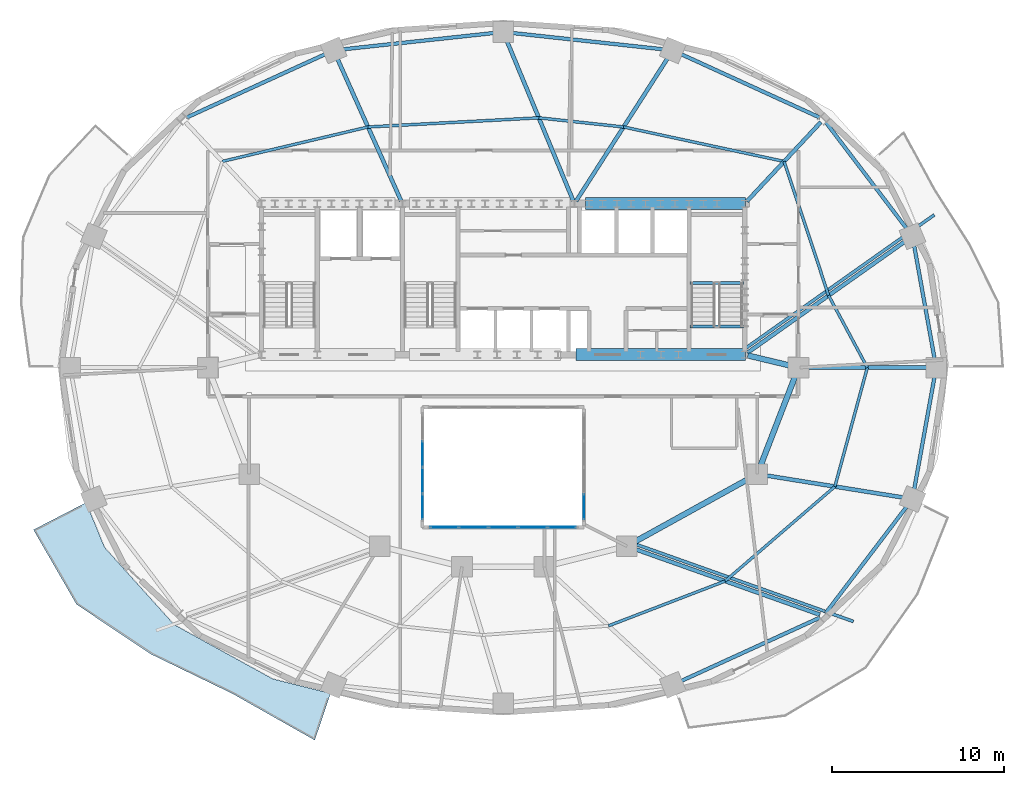
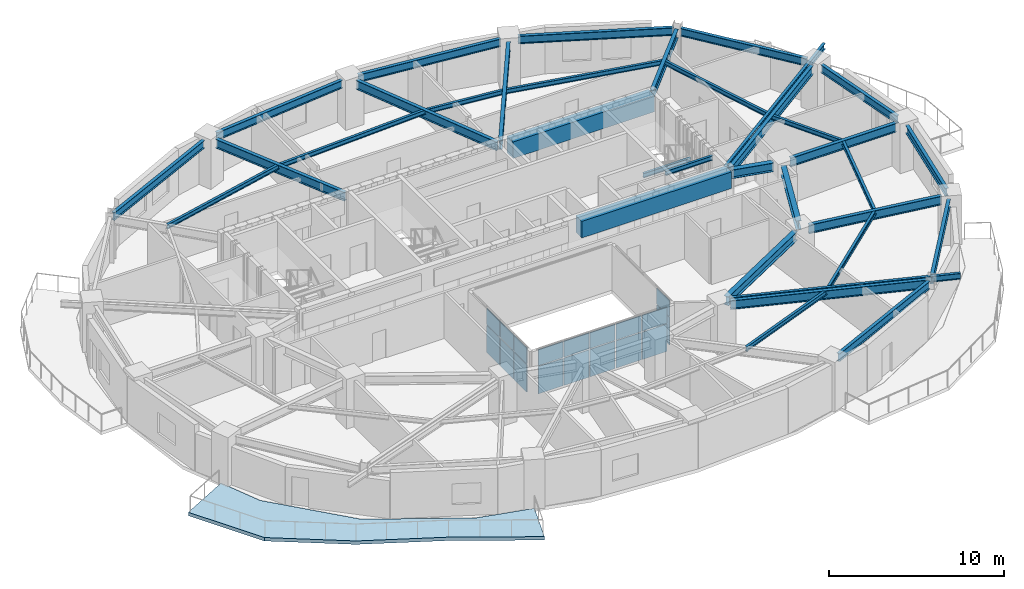
# One storey, part 4 of 11: 35 beams, 18 plates, 1 slab, 3 elements without a shape of their own.
"""IFC4 building model written with IfcOpenShell, lengths in metres."""

from ifc_helpers import new_model, si_unit, direction, frame, origin, origin_2d, place, context, subcontext, project, spatial, polyline, rectangle, i_section, outline, extrude, material, layer, layer_set, material_profile, profile_set, type_object, element, aggregate, save


model = new_model("IFC4")

# Units and contexts
model_context = context("Model", 3, precision=1e-05, world=origin(), true_north=direction((0.0, 1.0)))
body_context = subcontext(model_context, "Body", "Model", "MODEL_VIEW")
ifc_project = project(units=[si_unit("LENGTHUNIT", "METRE"), si_unit("AREAUNIT", "SQUARE_METRE"), si_unit("VOLUMEUNIT", "CUBIC_METRE"), si_unit("PLANEANGLEUNIT", "RADIAN"), si_unit("MASSUNIT", "GRAM", prefix="KILO")], contexts=[model_context])

# Site, building, storey
site_placement = place(None, origin())
site = spatial("IfcSite", under=ifc_project, at=site_placement, CompositionType="ELEMENT")
building_placement = place(site_placement, origin())
building = spatial("IfcBuilding", under=site, at=building_placement, Name="Haldorwick Loom Tower", CompositionType="ELEMENT")
storey_placement = place(building_placement, frame((0.0, 0.0, 171.699951171875)))
storey = spatial("IfcBuildingStorey", under=building, at=storey_placement, Name="L46", CompositionType="ELEMENT", Elevation=171.699951171875)

# Beams
ifc_material_1 = material(Name="Steel CSA G40.21 350W", Category="steel")
ifc_material_profile_1 = material_profile(ifc_material_1, i_section(OverallWidth=0.179931640625, OverallDepth=0.4130859375, WebThickness=0.009765625, FlangeThickness=0.01611328125, at=origin_2d()), Name="W410X74", Category="steel")
ifc_profile_set_1 = profile_set([ifc_material_profile_1], Name="Steel CSA G40.21 350W")
beam_type_1 = type_object("IfcBeamType", Name="STR-BM-BAL410", PredefinedType="BEAM", material=ifc_profile_set_1)
beam_1_placement = place(storey_placement, frame((43.78369140625, 15.68994140625, 3.003662109375), z_axis=(0.942447955832, -0.334352883266, 0.0), x_axis=(0.334352883266, 0.942447955832, 0.0)))
element("IfcBeam", 1, at=beam_1_placement, inside=storey, type_object=beam_type_1, Name="L46 Continuous Back-Spanned Balcony Beam 1", PredefinedType="BEAM", context=body_context, shape_type="SweptSolid", body=[
    extrude(i_section(OverallWidth=0.179931640625, OverallDepth=0.4130859375, WebThickness=0.009765625, FlangeThickness=0.01611328125, at=origin_2d()), origin(), (0.0, 0.0, 1.0), 13.385009765625),
])
beam_2_placement = place(storey_placement, frame((50.0537109375, 27.081298828125, 3.003662109375), z_axis=(0.816570167076, 0.57724618859, 0.0), x_axis=(-0.57724618859, 0.816570167076, 0.0)))
element("IfcBeam", 2, at=beam_2_placement, inside=storey, type_object=beam_type_1, Name="L46 Continuous Back-Spanned Balcony Beam 4", PredefinedType="BEAM", context=body_context, shape_type="SweptSolid", body=[
    extrude(i_section(OverallWidth=0.179931640625, OverallDepth=0.4130859375, WebThickness=0.009765625, FlangeThickness=0.01611328125, at=origin_2d()), origin(), (0.0, 0.0, 1.0), 13.531982421875),
])
ifc_material_2 = material(Name="Concrete C60 (60 MPa)", Category="concrete")
ifc_material_profile_2 = material_profile(ifc_material_2, rectangle(XDim=0.699951171875, YDim=1.14990234375, at=origin_2d()), Name="RC700X1150", Category="concrete")
ifc_profile_set_2 = profile_set([ifc_material_profile_2], Name="Concrete C60 (60 MPa)")
beam_type_2 = type_object("IfcBeamType", Name="STR-BM-CB1150", PredefinedType="LINTEL", material=ifc_profile_set_2)
beam_3_placement = place(storey_placement, frame((40.800048828125, 35.550048828125, 2.635009765625), z_axis=(1.0, 0.0, 0.0), x_axis=(0.0, 1.0, 0.0)))
element("IfcBeam", 3, at=beam_3_placement, inside=storey, type_object=beam_type_2, Name="L46 Core Coupling Beam CB-N3", PredefinedType="LINTEL", context=body_context, shape_type="SweptSolid", body=[
    extrude(rectangle(XDim=0.699951171875, YDim=1.14990234375, at=origin_2d()), origin(), (0.0, 0.0, 1.0), 9.300048828125),
])
beam_4_placement = place(storey_placement, frame((40.25, 26.75, 2.635009765625), z_axis=(1.0, 0.0, 0.0), x_axis=(0.0, 1.0, 0.0)))
element("IfcBeam", 4, at=beam_4_placement, inside=storey, type_object=beam_type_2, Name="L46 Core Coupling Beam CB-S3", PredefinedType="LINTEL", context=body_context, shape_type="SweptSolid", body=[
    extrude(rectangle(XDim=0.699951171875, YDim=1.14990234375, at=origin_2d()), origin(), (0.0, 0.0, 1.0), 9.85009765625),
])
ifc_material_profile_3 = material_profile(ifc_material_1, i_section(OverallWidth=0.166015625, OverallDepth=0.31298828125, WebThickness=0.006591796875, FlangeThickness=0.01123046875, at=origin_2d()), Name="W310X45", Category="steel")
ifc_profile_set_3 = profile_set([ifc_material_profile_3], Name="Steel CSA G40.21 350W")
beam_type_3 = type_object("IfcBeamType", Name="STR-BM-J310", PredefinedType="JOIST", material=ifc_profile_set_3)
beam_5_placement = place(storey_placement, frame((57.20849609375, 26.0, 3.053466796875), z_axis=(-0.472930162238, 0.881099915813, 0.0), x_axis=(-0.881099915813, -0.472930162238, 0.0)))
element("IfcBeam", 5, at=beam_5_placement, inside=storey, type_object=beam_type_3, Name="L46 Mid-Bay Secondary Joist 1", PredefinedType="JOIST", context=body_context, shape_type="SweptSolid", body=[
    extrude(i_section(OverallWidth=0.166015625, OverallDepth=0.31298828125, WebThickness=0.006591796875, FlangeThickness=0.01123046875, at=origin_2d()), origin(), (0.0, 0.0, 1.0), 4.76904296875),
])
beam_6_placement = place(storey_placement, frame((54.953125, 30.201904296875, 3.053466796875), z_axis=(-0.314980632705, 0.949098098734, 0.0), x_axis=(-0.949098098734, -0.314980632705, 0.0)))
element("IfcBeam", 6, at=beam_6_placement, inside=storey, type_object=beam_type_3, Name="L46 Mid-Bay Secondary Joist 2", PredefinedType="JOIST", context=body_context, shape_type="SweptSolid", body=[
    extrude(i_section(OverallWidth=0.166015625, OverallDepth=0.31298828125, WebThickness=0.006591796875, FlangeThickness=0.01123046875, at=origin_2d()), origin(), (0.0, 0.0, 1.0), 8.223876953125),
])
beam_7_placement = place(storey_placement, frame((52.36279296875, 38.007080078125, 3.053466796875), z_axis=(-0.977737366421, 0.209832414808, 0.0), x_axis=(-0.209832414808, -0.977737366421, 0.0)))
element("IfcBeam", 7, at=beam_7_placement, inside=storey, type_object=beam_type_3, Name="L46 Mid-Bay Secondary Joist 3", PredefinedType="JOIST", context=body_context, shape_type="SweptSolid", body=[
    extrude(i_section(OverallWidth=0.166015625, OverallDepth=0.31298828125, WebThickness=0.006591796875, FlangeThickness=0.01123046875, at=origin_2d()), origin(), (0.0, 0.0, 1.0), 9.56396484375),
])
beam_8_placement = place(storey_placement, frame((43.01171875, 40.013916015625, 3.053466796875), z_axis=(-0.994212584227, 0.107430616514, 0.0), x_axis=(-0.107430616514, -0.994212584227, 0.0)))
element("IfcBeam", 8, at=beam_8_placement, inside=storey, type_object=beam_type_3, Name="L46 Mid-Bay Secondary Joist 4", PredefinedType="JOIST", context=body_context, shape_type="SweptSolid", body=[
    extrude(i_section(OverallWidth=0.166015625, OverallDepth=0.31298828125, WebThickness=0.006591796875, FlangeThickness=0.01123046875, at=origin_2d()), origin(), (0.0, 0.0, 1.0), 4.965576171875),
])
beam_9_placement = place(storey_placement, frame((38.074951171875, 40.54736328125, 3.053466796875), z_axis=(-0.998564927415, -0.053554511828, 0.0), x_axis=(0.053554511828, -0.998564927415, 0.0)))
element("IfcBeam", 9, at=beam_9_placement, inside=storey, type_object=beam_type_3, Name="L46 Mid-Bay Secondary Joist 5", PredefinedType="JOIST", context=body_context, shape_type="SweptSolid", body=[
    extrude(i_section(OverallWidth=0.166015625, OverallDepth=0.31298828125, WebThickness=0.006591796875, FlangeThickness=0.01123046875, at=origin_2d()), origin(), (0.0, 0.0, 1.0), 9.9609375),
])
beam_10_placement = place(storey_placement, frame((28.12841796875, 40.013916015625, 3.053466796875), z_axis=(-0.973189168086, -0.230006180612, 0.0), x_axis=(0.230006180612, -0.973189168086, 0.0)))
element("IfcBeam", 10, at=beam_10_placement, inside=storey, type_object=beam_type_3, Name="L46 Mid-Bay Secondary Joist 6", PredefinedType="JOIST", context=body_context, shape_type="SweptSolid", body=[
    extrude(i_section(OverallWidth=0.166015625, OverallDepth=0.31298828125, WebThickness=0.006591796875, FlangeThickness=0.01123046875, at=origin_2d()), origin(), (0.0, 0.0, 1.0), 8.72509765625),
])
beam_11_placement = place(storey_placement, frame((42.13671875, 10.961181640625, 3.053466796875), z_axis=(0.933586737031, 0.358351509609, 0.0), x_axis=(-0.358351509609, 0.933586737031, 0.0)))
element("IfcBeam", 11, at=beam_11_placement, inside=storey, type_object=beam_type_3, Name="L46 Mid-Bay Secondary Joist 14", PredefinedType="JOIST", context=body_context, shape_type="SweptSolid", body=[
    extrude(i_section(OverallWidth=0.166015625, OverallDepth=0.31298828125, WebThickness=0.006591796875, FlangeThickness=0.01123046875, at=origin_2d()), origin(), (0.0, 0.0, 1.0), 7.274169921875),
])
beam_12_placement = place(storey_placement, frame((48.927734375, 13.56787109375, 3.053466796875), z_axis=(0.75763401328, 0.652679631918, 0.0), x_axis=(-0.652679631918, 0.75763401328, 0.0)))
element("IfcBeam", 12, at=beam_12_placement, inside=storey, type_object=beam_type_3, Name="L46 Mid-Bay Secondary Joist 15", PredefinedType="JOIST", context=body_context, shape_type="SweptSolid", body=[
    extrude(i_section(OverallWidth=0.166015625, OverallDepth=0.31298828125, WebThickness=0.006591796875, FlangeThickness=0.01123046875, at=origin_2d()), origin(), (0.0, 0.0, 1.0), 8.4345703125),
])
beam_13_placement = place(storey_placement, frame((55.318115234375, 19.072998046875, 3.053466796875), z_axis=(0.263272762578, 0.964721437766, 0.0), x_axis=(-0.964721437766, 0.263272762578, 0.0)))
element("IfcBeam", 13, at=beam_13_placement, inside=storey, type_object=beam_type_3, Name="L46 Mid-Bay Secondary Joist 16", PredefinedType="JOIST", context=body_context, shape_type="SweptSolid", body=[
    extrude(i_section(OverallWidth=0.166015625, OverallDepth=0.31298828125, WebThickness=0.006591796875, FlangeThickness=0.01123046875, at=origin_2d()), origin(), (0.0, 0.0, 1.0), 7.180419921875),
])
ifc_material_profile_4 = material_profile(ifc_material_1, i_section(OverallWidth=0.2119140625, OverallDepth=0.5439453125, WebThickness=0.01318359375, FlangeThickness=0.021240234375, at=origin_2d()), Name="W530X123", Category="steel")
ifc_profile_set_4 = profile_set([ifc_material_profile_4], Name="Steel CSA G40.21 350W")
beam_type_4 = type_object("IfcBeamType", Name="STR-BM-SP530", PredefinedType="SPANDREL", material=ifc_profile_set_4)
beam_14_placement = place(storey_placement, frame((61.124755859375, 26.51171875, 2.93798828125), z_axis=(-0.177558730702, 0.984110205796, 0.0), x_axis=(-0.984110205796, -0.177558730702, 0.0)))
element("IfcBeam", 14, at=beam_14_placement, inside=storey, type_object=beam_type_4, Name="L46 Perimeter Spandrel 1", PredefinedType="SPANDREL", context=body_context, shape_type="SweptSolid", body=[
    extrude(i_section(OverallWidth=0.2119140625, OverallDepth=0.5439453125, WebThickness=0.01318359375, FlangeThickness=0.021240234375, at=origin_2d()), origin(), (0.0, 0.0, 1.0), 6.737548828125),
])
beam_15_placement = place(storey_placement, frame((59.521240234375, 34.067626953125, 2.93798828125), z_axis=(-0.605421569293, 0.79590497136, 0.0), x_axis=(-0.79590497136, -0.605421569293, 0.0)))
element("IfcBeam", 15, at=beam_15_placement, inside=storey, type_object=beam_type_4, Name="L46 Perimeter Spandrel 2", PredefinedType="SPANDREL", context=body_context, shape_type="SweptSolid", body=[
    extrude(i_section(OverallWidth=0.2119140625, OverallDepth=0.5439453125, WebThickness=0.01318359375, FlangeThickness=0.021240234375, at=origin_2d()), origin(), (0.0, 0.0, 1.0), 7.81201171875),
])
beam_16_placement = place(storey_placement, frame((54.450927734375, 40.5576171875, 2.93798828125), z_axis=(-0.909523899848, 0.415651627695, 0.0), x_axis=(-0.415651627695, -0.909523899848, 0.0)))
element("IfcBeam", 16, at=beam_16_placement, inside=storey, type_object=beam_type_4, Name="L46 Perimeter Spandrel 3", PredefinedType="SPANDREL", context=body_context, shape_type="SweptSolid", body=[
    extrude(i_section(OverallWidth=0.2119140625, OverallDepth=0.5439453125, WebThickness=0.01318359375, FlangeThickness=0.021240234375, at=origin_2d()), origin(), (0.0, 0.0, 1.0), 8.910888671875),
])
for number, where, z_axis, x_axis, name in (
    (17, (45.356201171875, 44.533447265625, 2.93798828125), (-0.994210140187, 0.107453232386, 0.0), (-0.107453232386, -0.994210140187, 0.0), "L46 Perimeter Spandrel 4"),
    (18, (35.48291015625, 45.48876953125, 2.93798828125), (-0.994210140187, -0.107453232386, 0.0), (0.107453232386, -0.994210140187, 0.0), "L46 Perimeter Spandrel 5"),
):
    element("IfcBeam", number, at=place(storey_placement, frame(where, z_axis=z_axis, x_axis=x_axis)), inside=storey, type_object=beam_type_4, Name=name, PredefinedType="SPANDREL", context=body_context, shape_type="SweptSolid", body=[
        extrude(i_section(OverallWidth=0.2119140625, OverallDepth=0.5439453125, WebThickness=0.01318359375, FlangeThickness=0.021240234375, at=origin_2d()), origin(), (0.0, 0.0, 1.0), 8.890625),
    ])
for number, where, z_axis, x_axis, name in (
    (19, (25.65380859375, 44.261474609375, 2.93798828125), (-0.909523899848, -0.415651627695, 0.0), (0.415651627695, -0.909523899848, 0.0), "L46 Perimeter Spandrel 6"),
    (20, (46.34619140625, 7.738525390625, 2.93798828125), (0.909523899848, 0.415651627695, 0.0), (-0.415651627695, 0.909523899848, 0.0), "L46 Perimeter Spandrel 14"),
):
    element("IfcBeam", number, at=place(storey_placement, frame(where, z_axis=z_axis, x_axis=x_axis)), inside=storey, type_object=beam_type_4, Name=name, PredefinedType="SPANDREL", context=body_context, shape_type="SweptSolid", body=[
        extrude(i_section(OverallWidth=0.2119140625, OverallDepth=0.5439453125, WebThickness=0.01318359375, FlangeThickness=0.021240234375, at=origin_2d()), origin(), (0.0, 0.0, 1.0), 8.910888671875),
    ])
beam_17_placement = place(storey_placement, frame((54.791748046875, 11.71484375, 2.93798828125), z_axis=(0.605421569293, 0.79590497136, 0.0), x_axis=(-0.79590497136, 0.605421569293, 0.0)))
element("IfcBeam", 21, at=beam_17_placement, inside=storey, type_object=beam_type_4, Name="L46 Perimeter Spandrel 15", PredefinedType="SPANDREL", context=body_context, shape_type="SweptSolid", body=[
    extrude(i_section(OverallWidth=0.2119140625, OverallDepth=0.5439453125, WebThickness=0.01318359375, FlangeThickness=0.021240234375, at=origin_2d()), origin(), (0.0, 0.0, 1.0), 7.81201171875),
])
beam_18_placement = place(storey_placement, frame((59.928466796875, 18.85791015625, 2.93798828125), z_axis=(0.177558730702, 0.984110205796, 0.0), x_axis=(-0.984110205796, 0.177558730702, 0.0)))
element("IfcBeam", 22, at=beam_18_placement, inside=storey, type_object=beam_type_4, Name="L46 Perimeter Spandrel 16", PredefinedType="SPANDREL", context=body_context, shape_type="SweptSolid", body=[
    extrude(i_section(OverallWidth=0.2119140625, OverallDepth=0.5439453125, WebThickness=0.01318359375, FlangeThickness=0.021240234375, at=origin_2d()), origin(), (0.0, 0.0, 1.0), 6.737548828125),
])
ifc_material_profile_5 = material_profile(ifc_material_1, i_section(OverallWidth=0.166015625, OverallDepth=0.31298828125, WebThickness=0.006591796875, FlangeThickness=0.01123046875, at=origin_2d()), Name="W310X45", Category="steel")
ifc_profile_set_5 = profile_set([ifc_material_profile_5], Name="Steel CSA G40.21 350W")
beam_type_5 = type_object("IfcBeamType", Name="STR-BM-STRM", PredefinedType="BEAM", material=ifc_profile_set_5)
for number, where, z_axis, x_axis, name in (
    (23, (46.889892578125, 28.39990234375, 3.053466796875), (1.0, 0.0, 0.0), (0.0, 1.0, 0.0), "L46 Stair ST-02 Landing Edge Trimmer"),
    (24, (46.889892578125, 30.919921875, 1.36865234375), (1.0, 0.0, 0.0), (0.0, 1.0, 0.0), "L46 Stair ST-02 Half-Landing Trimmer 1"),
):
    element("IfcBeam", number, at=place(storey_placement, frame(where, z_axis=z_axis, x_axis=x_axis)), inside=storey, type_object=beam_type_5, Name=name, PredefinedType="BEAM", context=body_context, shape_type="SweptSolid", body=[
        extrude(i_section(OverallWidth=0.166015625, OverallDepth=0.31298828125, WebThickness=0.006591796875, FlangeThickness=0.01123046875, at=origin_2d()), origin(), (0.0, 0.0, 1.0), 3.1201171875),
    ])
ifc_material_profile_6 = material_profile(ifc_material_1, i_section(OverallWidth=0.324951171875, OverallDepth=0.615966796875, WebThickness=0.013916015625, FlangeThickness=0.021484375, at=origin_2d()), Name="W610X174", Category="steel")
ifc_profile_set_6 = profile_set([ifc_material_profile_6], Name="Steel CSA G40.21 350W")
beam_type_6 = type_object("IfcBeamType", Name="STR-BM-W610A", PredefinedType="BEAM", material=ifc_profile_set_6)
beam_19_placement = place(storey_placement, frame((50.2431640625, 26.70849609375, 2.902099609375), z_axis=(0.97246637463, -0.233043236789, 0.0), x_axis=(0.233043236789, 0.97246637463, 0.0)))
element("IfcBeam", 25, at=beam_19_placement, inside=storey, type_object=beam_type_6, Name="L46 Inner Ring Girder 1", PredefinedType="BEAM", context=body_context, shape_type="SweptSolid", body=[
    extrude(i_section(OverallWidth=0.324951171875, OverallDepth=0.615966796875, WebThickness=0.013916015625, FlangeThickness=0.021484375, at=origin_2d()), origin(), (0.0, 0.0, 1.0), 2.5205078125),
])
beam_20_placement = place(storey_placement, frame((53.01220703125, 25.51513671875, 2.902099609375), z_axis=(-0.360964792353, -0.93257944363, 0.0), x_axis=(0.93257944363, -0.360964792353, 0.0)))
element("IfcBeam", 26, at=beam_20_placement, inside=storey, type_object=beam_type_6, Name="L46 Inner Ring Girder 2", PredefinedType="BEAM", context=body_context, shape_type="SweptSolid", body=[
    extrude(i_section(OverallWidth=0.324951171875, OverallDepth=0.615966796875, WebThickness=0.013916015625, FlangeThickness=0.021484375, at=origin_2d()), origin(), (0.0, 0.0, 1.0), 5.6083984375),
])
beam_21_placement = place(storey_placement, frame((50.344970703125, 19.548583984375, 2.902099609375), z_axis=(-0.875244382146, -0.483680960471, 0.0), x_axis=(0.483680960471, -0.875244382146, 0.0)))
element("IfcBeam", 27, at=beam_21_placement, inside=storey, type_object=beam_type_6, Name="L46 Inner Ring Girder 3", PredefinedType="BEAM", context=body_context, shape_type="SweptSolid", body=[
    extrude(i_section(OverallWidth=0.324951171875, OverallDepth=0.615966796875, WebThickness=0.013916015625, FlangeThickness=0.021484375, at=origin_2d()), origin(), (0.0, 0.0, 1.0), 7.6435546875),
])
ifc_material_profile_7 = material_profile(ifc_material_1, i_section(OverallWidth=0.22998046875, OverallDepth=0.616943359375, WebThickness=0.01318359375, FlangeThickness=0.022216796875, at=origin_2d()), Name="W610X140", Category="steel")
ifc_profile_set_7 = profile_set([ifc_material_profile_7], Name="Steel CSA G40.21 350W")
beam_type_7 = type_object("IfcBeamType", Name="STR-BM-W610B", PredefinedType="BEAM", material=ifc_profile_set_7)
beam_22_placement = place(storey_placement, frame((53.719970703125, 26.0, 2.901611328125), z_axis=(1.0, 0.0, 0.0), x_axis=(0.0, 1.0, 0.0)))
element("IfcBeam", 28, at=beam_22_placement, inside=storey, type_object=beam_type_7, Name="L46 Radial Floor Girder 1", PredefinedType="BEAM", context=body_context, shape_type="SweptSolid", body=[
    extrude(i_section(OverallWidth=0.22998046875, OverallDepth=0.616943359375, WebThickness=0.01318359375, FlangeThickness=0.022216796875, at=origin_2d()), origin(), (0.0, 0.0, 1.0), 6.97705078125),
])
beam_23_placement = place(storey_placement, frame((50.21533203125, 26.852783203125, 2.901611328125), z_axis=(0.816581374163, 0.577230334763, 0.0), x_axis=(-0.577230334763, 0.816581374163, 0.0)))
element("IfcBeam", 29, at=beam_23_placement, inside=storey, type_object=beam_type_7, Name="L46 Radial Floor Girder 2", PredefinedType="BEAM", context=body_context, shape_type="SweptSolid", body=[
    extrude(i_section(OverallWidth=0.22998046875, OverallDepth=0.616943359375, WebThickness=0.01318359375, FlangeThickness=0.022216796875, at=origin_2d()), origin(), (0.0, 0.0, 1.0), 11.261962890625),
])
beam_24_placement = place(storey_placement, frame((50.19140625, 35.68017578125, 2.901611328125), z_axis=(0.682245282958, 0.731123364339, 0.0), x_axis=(-0.731123364339, 0.682245282958, 0.0)))
element("IfcBeam", 30, at=beam_24_placement, inside=storey, type_object=beam_type_7, Name="L46 Radial Floor Girder 3", PredefinedType="BEAM", context=body_context, shape_type="SweptSolid", body=[
    extrude(i_section(OverallWidth=0.22998046875, OverallDepth=0.616943359375, WebThickness=0.01318359375, FlangeThickness=0.022216796875, at=origin_2d()), origin(), (0.0, 0.0, 1.0), 6.318603515625),
])
beam_25_placement = place(storey_placement, frame((40.24609375, 35.699951171875, 2.901611328125), z_axis=(0.539693434869, 0.841861625423, 0.0), x_axis=(-0.841861625423, 0.539693434869, 0.0)))
element("IfcBeam", 31, at=beam_25_placement, inside=storey, type_object=beam_type_7, Name="L46 Radial Floor Girder 4", PredefinedType="BEAM", context=body_context, shape_type="SweptSolid", body=[
    extrude(i_section(OverallWidth=0.22998046875, OverallDepth=0.616943359375, WebThickness=0.01318359375, FlangeThickness=0.022216796875, at=origin_2d()), origin(), (0.0, 0.0, 1.0), 9.906494140625),
])
beam_26_placement = place(storey_placement, frame((40.081787109375, 35.71435546875, 2.901611328125), z_axis=(-0.383474700215, 0.923551381513, 0.0), x_axis=(-0.923551381513, -0.383474700215, 0.0)))
element("IfcBeam", 32, at=beam_26_placement, inside=storey, type_object=beam_type_7, Name="L46 Radial Floor Girder 5", PredefinedType="BEAM", context=body_context, shape_type="SweptSolid", body=[
    extrude(i_section(OverallWidth=0.22998046875, OverallDepth=0.616943359375, WebThickness=0.01318359375, FlangeThickness=0.022216796875, at=origin_2d()), origin(), (0.0, 0.0, 1.0), 10.1240234375),
])
beam_27_placement = place(storey_placement, frame((30.05712890625, 35.71240234375, 2.901611328125), z_axis=(-0.409145396953, 0.912469201755, 0.0), x_axis=(-0.912469201755, -0.409145396953, 0.0)))
element("IfcBeam", 33, at=beam_27_placement, inside=storey, type_object=beam_type_7, Name="L46 Radial Floor Girder 6", PredefinedType="BEAM", context=body_context, shape_type="SweptSolid", body=[
    extrude(i_section(OverallWidth=0.22998046875, OverallDepth=0.616943359375, WebThickness=0.01318359375, FlangeThickness=0.022216796875, at=origin_2d()), origin(), (0.0, 0.0, 1.0), 9.086181640625),
])
beam_28_placement = place(storey_placement, frame((43.690185546875, 15.426025390625, 2.901611328125), z_axis=(0.942449496381, -0.334348540854, 0.0), x_axis=(0.334348540854, 0.942449496381, 0.0)))
element("IfcBeam", 34, at=beam_28_placement, inside=storey, type_object=beam_type_7, Name="L46 Radial Floor Girder 15", PredefinedType="BEAM", context=body_context, shape_type="SweptSolid", body=[
    extrude(i_section(OverallWidth=0.22998046875, OverallDepth=0.616943359375, WebThickness=0.01318359375, FlangeThickness=0.022216796875, at=origin_2d()), origin(), (0.0, 0.0, 1.0), 11.41015625),
])
beam_29_placement = place(storey_placement, frame((51.3134765625, 19.71728515625, 2.901611328125), z_axis=(0.987308639475, -0.158813256432, 0.0), x_axis=(0.158813256432, 0.987308639475, 0.0)))
element("IfcBeam", 35, at=beam_29_placement, inside=storey, type_object=beam_type_7, Name="L46 Radial Floor Girder 16", PredefinedType="BEAM", context=body_context, shape_type="SweptSolid", body=[
    extrude(i_section(OverallWidth=0.22998046875, OverallDepth=0.616943359375, WebThickness=0.01318359375, FlangeThickness=0.022216796875, at=origin_2d()), origin(), (0.0, 0.0, 1.0), 8.1123046875),
])

# Curtain wall, plates
ifc_material_3 = material(Name="Thermally Broken Anodized Aluminium Curtain Wall Framing", Category="aluminium")
curtain_wall_type = type_object("IfcCurtainWallType", Name="ARC-CW-03", PredefinedType="NOTDEFINED", material=ifc_material_3)
curtain_wall_1_placement = place(storey_placement, origin())
curtain_wall_1 = element("IfcCurtainWall", 36, at=curtain_wall_1_placement, inside=storey, type_object=curtain_wall_type, Name="L46 Atrium Glazed Screen S", PredefinedType="NOTDEFINED")
ifc_material_4 = material(Name="Triple-Glazed Low-E Argon Insulated Glazing Unit", Category="glass")
ifc_layer_1 = layer(ifc_material_4, 0.04296875, Name="Triple-Glazed Low-E Argon Insulated Glazing Unit", Category="glass")
ifc_layer_set_1 = layer_set([ifc_layer_1], Name="Triple-Glazed Low-E Argon Insulated Glazing Unit")
plate_type = type_object("IfcPlateType", Name="ARC-CWP-03", PredefinedType="CURTAIN_PANEL", material=ifc_layer_set_1)
plate_1_placement = place(storey_placement, frame((39.423583984375, 16.699951171875, 0.066162109375), z_axis=(0.0, 0.0, 1.0), x_axis=(-1.0, 0.0, 0.0)))
plate_1 = element("IfcPlate", 37, at=plate_1_placement, type_object=plate_type, Name="CW-03 panel 1.1", PredefinedType="CURTAIN_PANEL", context=body_context, shape_type="SweptSolid", body=[
    extrude(rectangle(XDim=1.62109375, YDim=0.04296875, at=origin_2d()), origin(), (0.0, 0.0, 1.0), 1.90087890625),
])
plate_2_placement = place(storey_placement, frame((39.423583984375, 16.699951171875, 2.033203125), z_axis=(0.0, 0.0, 1.0), x_axis=(-1.0, 0.0, 0.0)))
plate_2 = element("IfcPlate", 38, at=plate_2_placement, type_object=plate_type, Name="CW-03 panel 1.2", PredefinedType="CURTAIN_PANEL", context=body_context, shape_type="SweptSolid", body=[
    extrude(rectangle(XDim=1.62109375, YDim=0.04296875, at=origin_2d()), origin(), (0.0, 0.0, 1.0), 1.111083984375),
])
plate_3_placement = place(storey_placement, frame((37.719970703125, 16.699951171875, 0.066162109375), z_axis=(0.0, 0.0, 1.0), x_axis=(-1.0, 0.0, 0.0)))
plate_3 = element("IfcPlate", 39, at=plate_3_placement, type_object=plate_type, Name="CW-03 panel 2.1", PredefinedType="CURTAIN_PANEL", context=body_context, shape_type="SweptSolid", body=[
    extrude(rectangle(XDim=1.654052734375, YDim=0.04296875, at=origin_2d()), origin(), (0.0, 0.0, 1.0), 1.90087890625),
])
plate_4_placement = place(storey_placement, frame((37.719970703125, 16.699951171875, 2.033203125), z_axis=(0.0, 0.0, 1.0), x_axis=(-1.0, 0.0, 0.0)))
plate_4 = element("IfcPlate", 40, at=plate_4_placement, type_object=plate_type, Name="CW-03 panel 2.2", PredefinedType="CURTAIN_PANEL", context=body_context, shape_type="SweptSolid", body=[
    extrude(rectangle(XDim=1.654052734375, YDim=0.04296875, at=origin_2d()), origin(), (0.0, 0.0, 1.0), 1.111083984375),
])
plate_5_placement = place(storey_placement, frame((36.0, 16.699951171875, 0.066162109375), z_axis=(0.0, 0.0, 1.0), x_axis=(-1.0, 0.0, 0.0)))
plate_5 = element("IfcPlate", 41, at=plate_5_placement, type_object=plate_type, Name="CW-03 panel 3.1", PredefinedType="CURTAIN_PANEL", context=body_context, shape_type="SweptSolid", body=[
    extrude(rectangle(XDim=1.654052734375, YDim=0.04296875, at=origin_2d()), origin(), (0.0, 0.0, 1.0), 1.90087890625),
])
plate_6_placement = place(storey_placement, frame((36.0, 16.699951171875, 2.033203125), z_axis=(0.0, 0.0, 1.0), x_axis=(-1.0, 0.0, 0.0)))
plate_6 = element("IfcPlate", 42, at=plate_6_placement, type_object=plate_type, Name="CW-03 panel 3.2", PredefinedType="CURTAIN_PANEL", context=body_context, shape_type="SweptSolid", body=[
    extrude(rectangle(XDim=1.654052734375, YDim=0.04296875, at=origin_2d()), origin(), (0.0, 0.0, 1.0), 1.111083984375),
])
plate_7_placement = place(storey_placement, frame((34.280029296875, 16.699951171875, 0.066162109375), z_axis=(0.0, 0.0, 1.0), x_axis=(-1.0, 0.0, 0.0)))
plate_7 = element("IfcPlate", 43, at=plate_7_placement, type_object=plate_type, Name="CW-03 panel 4.1", PredefinedType="CURTAIN_PANEL", context=body_context, shape_type="SweptSolid", body=[
    extrude(rectangle(XDim=1.654052734375, YDim=0.04296875, at=origin_2d()), origin(), (0.0, 0.0, 1.0), 1.90087890625),
])
plate_8_placement = place(storey_placement, frame((34.280029296875, 16.699951171875, 2.033203125), z_axis=(0.0, 0.0, 1.0), x_axis=(-1.0, 0.0, 0.0)))
plate_8 = element("IfcPlate", 44, at=plate_8_placement, type_object=plate_type, Name="CW-03 panel 4.2", PredefinedType="CURTAIN_PANEL", context=body_context, shape_type="SweptSolid", body=[
    extrude(rectangle(XDim=1.654052734375, YDim=0.04296875, at=origin_2d()), origin(), (0.0, 0.0, 1.0), 1.111083984375),
])
plate_9_placement = place(storey_placement, frame((32.576416015625, 16.699951171875, 0.066162109375), z_axis=(0.0, 0.0, 1.0), x_axis=(-1.0, 0.0, 0.0)))
plate_9 = element("IfcPlate", 45, at=plate_9_placement, type_object=plate_type, Name="CW-03 panel 5.1", PredefinedType="CURTAIN_PANEL", context=body_context, shape_type="SweptSolid", body=[
    extrude(rectangle(XDim=1.62109375, YDim=0.04296875, at=origin_2d()), origin(), (0.0, 0.0, 1.0), 1.90087890625),
])
plate_10_placement = place(storey_placement, frame((32.576416015625, 16.699951171875, 2.033203125), z_axis=(0.0, 0.0, 1.0), x_axis=(-1.0, 0.0, 0.0)))
plate_10 = element("IfcPlate", 46, at=plate_10_placement, type_object=plate_type, Name="CW-03 panel 5.2", PredefinedType="CURTAIN_PANEL", context=body_context, shape_type="SweptSolid", body=[
    extrude(rectangle(XDim=1.62109375, YDim=0.04296875, at=origin_2d()), origin(), (0.0, 0.0, 1.0), 1.111083984375),
])
aggregate(curtain_wall_1, [plate_1, plate_2, plate_3, plate_4, plate_5, plate_6, plate_7, plate_8, plate_9, plate_10])

curtain_wall_2_placement = place(storey_placement, origin())
curtain_wall_2 = element("IfcCurtainWall", 47, at=curtain_wall_2_placement, inside=storey, type_object=curtain_wall_type, Name="L46 Atrium Glazed Screen W", PredefinedType="NOTDEFINED")
plate_11_placement = place(storey_placement, frame((31.300048828125, 17.8916015625, 0.066162109375), z_axis=(0.0, 0.0, 1.0), x_axis=(0.0, 1.0, 0.0)))
plate_11 = element("IfcPlate", 48, at=plate_11_placement, type_object=plate_type, Name="CW-03 panel 1.1", PredefinedType="CURTAIN_PANEL", context=body_context, shape_type="SweptSolid", body=[
    extrude(rectangle(XDim=1.450927734375, YDim=0.04296875, at=origin_2d()), origin(), (0.0, 0.0, 1.0), 1.90087890625),
])
plate_12_placement = place(storey_placement, frame((31.300048828125, 17.8916015625, 2.033203125), z_axis=(0.0, 0.0, 1.0), x_axis=(0.0, 1.0, 0.0)))
plate_12 = element("IfcPlate", 49, at=plate_12_placement, type_object=plate_type, Name="CW-03 panel 1.2", PredefinedType="CURTAIN_PANEL", context=body_context, shape_type="SweptSolid", body=[
    extrude(rectangle(XDim=1.450927734375, YDim=0.04296875, at=origin_2d()), origin(), (0.0, 0.0, 1.0), 1.111083984375),
])
plate_13_placement = place(storey_placement, frame((31.300048828125, 19.425048828125, 0.066162109375), z_axis=(0.0, 0.0, 1.0), x_axis=(0.0, 1.0, 0.0)))
plate_13 = element("IfcPlate", 50, at=plate_13_placement, type_object=plate_type, Name="CW-03 panel 2.1", PredefinedType="CURTAIN_PANEL", context=body_context, shape_type="SweptSolid", body=[
    extrude(rectangle(XDim=1.48388671875, YDim=0.04296875, at=origin_2d()), origin(), (0.0, 0.0, 1.0), 1.90087890625),
])
plate_14_placement = place(storey_placement, frame((31.300048828125, 19.425048828125, 2.033203125), z_axis=(0.0, 0.0, 1.0), x_axis=(0.0, 1.0, 0.0)))
plate_14 = element("IfcPlate", 51, at=plate_14_placement, type_object=plate_type, Name="CW-03 panel 2.2", PredefinedType="CURTAIN_PANEL", context=body_context, shape_type="SweptSolid", body=[
    extrude(rectangle(XDim=1.48388671875, YDim=0.04296875, at=origin_2d()), origin(), (0.0, 0.0, 1.0), 1.111083984375),
])
plate_15_placement = place(storey_placement, frame((31.300048828125, 20.97509765625, 0.066162109375), z_axis=(0.0, 0.0, 1.0), x_axis=(0.0, 1.0, 0.0)))
plate_15 = element("IfcPlate", 52, at=plate_15_placement, type_object=plate_type, Name="CW-03 panel 3.1", PredefinedType="CURTAIN_PANEL", context=body_context, shape_type="SweptSolid", body=[
    extrude(rectangle(XDim=1.48388671875, YDim=0.04296875, at=origin_2d()), origin(), (0.0, 0.0, 1.0), 1.90087890625),
])
plate_16_placement = place(storey_placement, frame((31.300048828125, 20.97509765625, 2.033203125), z_axis=(0.0, 0.0, 1.0), x_axis=(0.0, 1.0, 0.0)))
plate_16 = element("IfcPlate", 53, at=plate_16_placement, type_object=plate_type, Name="CW-03 panel 3.2", PredefinedType="CURTAIN_PANEL", context=body_context, shape_type="SweptSolid", body=[
    extrude(rectangle(XDim=1.48388671875, YDim=0.04296875, at=origin_2d()), origin(), (0.0, 0.0, 1.0), 1.111083984375),
])
aggregate(curtain_wall_2, [plate_11, plate_12, plate_13, plate_14, plate_15, plate_16])

curtain_wall_3_placement = place(storey_placement, origin())
curtain_wall_3 = element("IfcCurtainWall", 54, at=curtain_wall_3_placement, inside=storey, type_object=curtain_wall_type, Name="L46 Atrium Glazed Screen E", PredefinedType="NOTDEFINED")
plate_17_placement = place(storey_placement, frame((40.699951171875, 17.8916015625, 0.066162109375), z_axis=(0.0, 0.0, 1.0), x_axis=(0.0, -1.0, 0.0)))
plate_17 = element("IfcPlate", 55, at=plate_17_placement, type_object=plate_type, Name="CW-03 panel 4.1", PredefinedType="CURTAIN_PANEL", context=body_context, shape_type="SweptSolid", body=[
    extrude(rectangle(XDim=1.450927734375, YDim=0.04296875, at=origin_2d()), origin(), (0.0, 0.0, 1.0), 1.90087890625),
])
plate_18_placement = place(storey_placement, frame((40.699951171875, 17.8916015625, 2.033203125), z_axis=(0.0, 0.0, 1.0), x_axis=(0.0, -1.0, 0.0)))
plate_18 = element("IfcPlate", 56, at=plate_18_placement, type_object=plate_type, Name="CW-03 panel 4.2", PredefinedType="CURTAIN_PANEL", context=body_context, shape_type="SweptSolid", body=[
    extrude(rectangle(XDim=1.450927734375, YDim=0.04296875, at=origin_2d()), origin(), (0.0, 0.0, 1.0), 1.111083984375),
])
aggregate(curtain_wall_3, [plate_17, plate_18])

# Slab
ifc_material_5 = material(Name="Concrete C40 (40 MPa)", Category="concrete")
ifc_layer_2 = layer(ifc_material_5, 0.239990234375, Name="Concrete C40 (40 MPa)", Category="concrete")
ifc_layer_set_2 = layer_set([ifc_layer_2], Name="Concrete C40 (40 MPa)")
slab_type = type_object("IfcSlabType", Name="STR-SLB-BAL240", PredefinedType="FLOOR", material=ifc_layer_set_2)
slab_placement = place(storey_placement, frame((0.0, 0.0, -0.239990234375)))
element("IfcSlab", 57, at=slab_placement, inside=storey, type_object=slab_type, Name="L46 Sinusoidal Balcony Terrace BAL_SW", PredefinedType="FLOOR", context=body_context, shape_type="SweptSolid", body=[
    extrude(outline(polyline([(25.9404296875, 7.027587890625), (22.6005859375, 7.861572265625), (22.599365234375, 7.86181640625), (22.59814453125, 7.8623046875), (22.596923828125, 7.863037109375), (16.84228515625, 11.02783203125), (16.8408203125, 11.028564453125), (16.83935546875, 11.02978515625), (16.83837890625, 11.031005859375), (12.786865234375, 15.526123046875), (12.785888671875, 15.527099609375), (12.78515625, 15.528076171875), (12.78466796875, 15.529296875), (12.783935546875, 15.530517578125), (11.7158203125, 18.141357421875), (8.64599609375, 16.555908203125), (11.153564453125, 12.208251953125), (15.495849609375, 9.30810546875), (20.25439453125, 7.0), (25.0263671875, 4.302490234375), (25.9404296875, 7.027587890625)])), origin(), (0.0, 0.0, 1.0), 0.239990234375),
])

save(model, "model.ifc")
